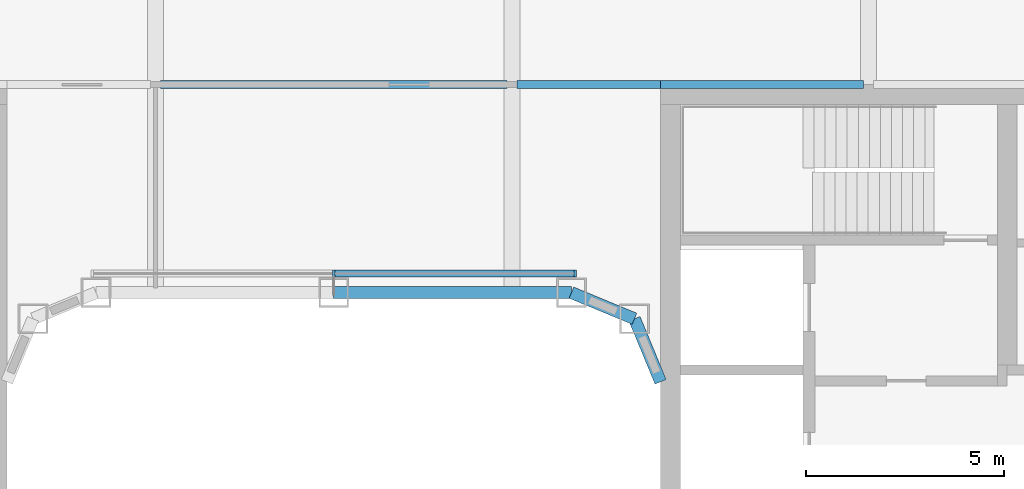
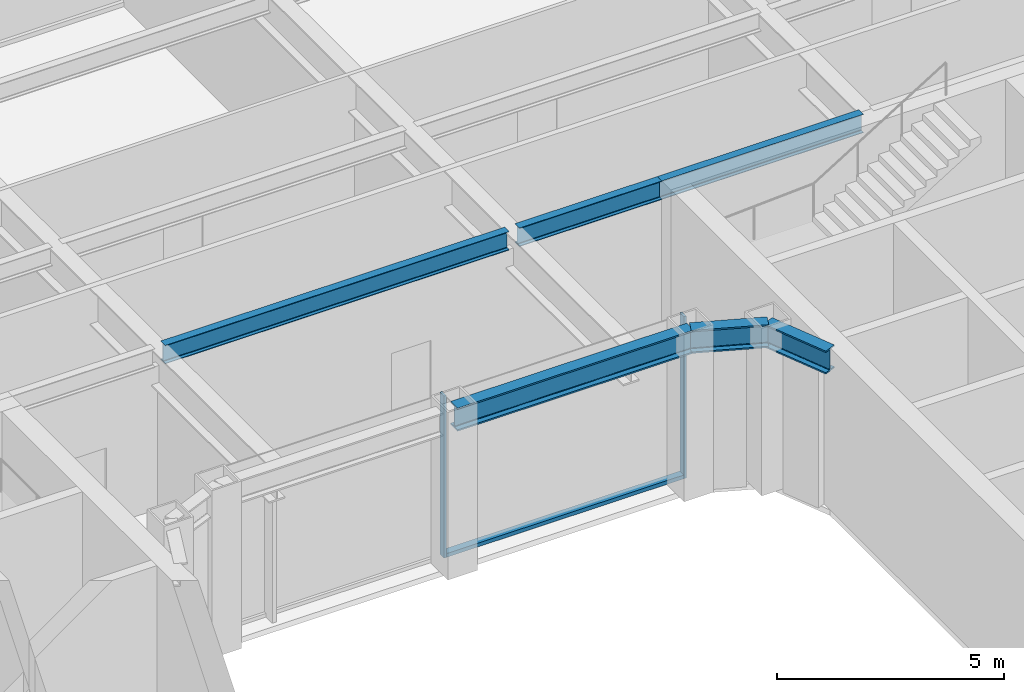
# One storey, part 8 of 27: 6 beams, 3 members, 1 element without a shape of its own.
"""IFC4 building model written with IfcOpenShell, lengths in metres."""

from ifc_helpers import new_model, si_unit, direction, frame, origin, origin_2d, place, context, subcontext, project, spatial, rectangle, i_section, extrude, material, layer, layer_set, material_profile, profile_set, type_object, element, aggregate, save


model = new_model("IFC4")

# Units and contexts
model_context = context("Model", 3, precision=1e-05, world=origin(), true_north=direction((0.0, 1.0)))
body_context = subcontext(model_context, "Body", "Model", "MODEL_VIEW")
ifc_project = project(units=[si_unit("LENGTHUNIT", "METRE"), si_unit("AREAUNIT", "SQUARE_METRE"), si_unit("VOLUMEUNIT", "CUBIC_METRE"), si_unit("PLANEANGLEUNIT", "RADIAN"), si_unit("MASSUNIT", "GRAM", prefix="KILO")], contexts=[model_context])

# Site, building, storey
site_placement = place(None, origin())
site = spatial("IfcSite", under=ifc_project, at=site_placement, CompositionType="ELEMENT")
building_placement = place(site_placement, origin())
building = spatial("IfcBuilding", under=site, at=building_placement, Name="Siwar Civic Tower", CompositionType="ELEMENT")
storey_placement = place(building_placement, frame((0.0, 0.0, 71.699951171875)))
storey = spatial("IfcBuildingStorey", under=building, at=storey_placement, Name="L15", CompositionType="ELEMENT", Elevation=71.699951171875)

# Curtain wall, members
ifc_material_1 = material(Name="Aluminium and glass", Category="aluminium")
ifc_layer = layer(ifc_material_1, 0.179931640625)
ifc_layer_set = layer_set([ifc_layer], Name="Aluminium and glass")
curtain_wall_type = type_object("IfcCurtainWallType", Name="ENV-CW-W", PredefinedType="NOTDEFINED", material=ifc_layer_set)
curtain_wall_placement = place(storey_placement, origin())
curtain_wall = element("IfcCurtainWall", 1, at=curtain_wall_placement, inside=storey, type_object=curtain_wall_type, Name="Curtain wall W WN", PredefinedType="NOTDEFINED")
ifc_material_2 = material(Name="Aluminium 6063-T6", Category="aluminium")
ifc_material_profile_1 = material_profile(ifc_material_2, rectangle(XDim=0.179931640625, YDim=0.06005859375, at=origin_2d()), Name="AL 180x60")
ifc_profile_set_1 = profile_set([ifc_material_profile_1], Name="Aluminium 6063-T6")
member_type_1 = type_object("IfcMemberType", Name="ENV-MULLION-W", PredefinedType="MULLION", material=ifc_profile_set_1)
member_1_placement = place(storey_placement, frame((6.096435546875, 8.735107421875, 0.0), z_axis=(0.0, 0.0, 1.0), x_axis=(0.0, -1.0, 0.0)))
member_1 = element("IfcMember", 2, at=member_1_placement, type_object=member_type_1, Name="Mullion W WN 1", PredefinedType="MULLION", context=body_context, shape_type="SweptSolid", body=[
    extrude(rectangle(XDim=0.179931640625, YDim=0.06005859375, at=origin_2d()), origin(), (0.0, 0.0, 1.0), 4.35009765625),
])
member_2_placement = place(storey_placement, frame((0.0, 8.735107421875, 0.0), z_axis=(0.0, 0.0, 1.0), x_axis=(0.0, -1.0, 0.0)))
member_2 = element("IfcMember", 3, at=member_2_placement, type_object=member_type_1, Name="Mullion W WN 2", PredefinedType="MULLION", context=body_context, shape_type="SweptSolid", body=[
    extrude(rectangle(XDim=0.179931640625, YDim=0.06005859375, at=origin_2d()), origin(), (0.0, 0.0, 1.0), 4.35009765625),
])
ifc_material_3 = material(Name="Aluminium 6063-T6", Category="aluminium")
ifc_material_profile_2 = material_profile(ifc_material_3, rectangle(XDim=0.179931640625, YDim=0.10009765625, at=origin_2d()), Name="AL 180x100")
ifc_profile_set_2 = profile_set([ifc_material_profile_2], Name="Aluminium 6063-T6")
member_type_2 = type_object("IfcMemberType", Name="ENV-TRANSOM-W", PredefinedType="USERDEFINED", material=ifc_profile_set_2)
member_3_placement = place(storey_placement, frame((6.06640625, 8.735107421875, 0.050048828125), z_axis=(-1.0, 0.0, 0.0), x_axis=(0.0, -1.0, 0.0)))
member_3 = element("IfcMember", 4, at=member_3_placement, type_object=member_type_2, Name="Transom W WN 1", ObjectType="TRANSOM", PredefinedType="USERDEFINED", context=body_context, shape_type="SweptSolid", body=[
    extrude(rectangle(XDim=0.179931640625, YDim=0.10009765625, at=origin_2d()), origin(), (0.0, 0.0, 1.0), 6.036376953125),
])
aggregate(curtain_wall, [member_1, member_2, member_3])

# Beams
ifc_material_4 = material(Name="Steel S355", Category="steel")
ifc_material_profile_3 = material_profile(ifc_material_4, i_section(OverallWidth=0.199951171875, OverallDepth=0.5, WebThickness=0.01025390625, FlangeThickness=0.01611328125, FilletRadius=0.02099609375, at=origin_2d()), Name="IPE500")
ifc_profile_set_3 = profile_set([ifc_material_profile_3], Name="Steel S355")
beam_type_1 = type_object("IfcBeamType", Name="STR-FB-IPE500", PredefinedType="JOIST", material=ifc_profile_set_3)
beam_1_placement = place(storey_placement, frame((-4.3701171875, 13.5, 4.10009765625), z_axis=(1.0, 0.0, 0.0), x_axis=(0.0, 1.0, 0.0)))
element("IfcBeam", 5, at=beam_1_placement, inside=storey, type_object=beam_type_1, Name="L15/bm/F041", PredefinedType="JOIST", context=body_context, shape_type="SweptSolid", body=[
    extrude(i_section(OverallWidth=0.199951171875, OverallDepth=0.5, WebThickness=0.01025390625, FlangeThickness=0.01611328125, FilletRadius=0.02099609375, at=origin_2d()), origin(), (0.0, 0.0, 1.0), 8.740234375),
])
beam_2_placement = place(storey_placement, frame((4.6298828125, 13.5, 4.10009765625), z_axis=(1.0, 0.0, 0.0), x_axis=(0.0, 1.0, 0.0)))
element("IfcBeam", 6, at=beam_2_placement, inside=storey, type_object=beam_type_1, Name="L15/bm/F042", PredefinedType="JOIST", context=body_context, shape_type="SweptSolid", body=[
    extrude(i_section(OverallWidth=0.199951171875, OverallDepth=0.5, WebThickness=0.01025390625, FlangeThickness=0.01611328125, FilletRadius=0.02099609375, at=origin_2d()), origin(), (0.0, 0.0, 1.0), 3.6201171875),
])
beam_3_placement = place(storey_placement, frame((8.25, 13.5, 4.10009765625), z_axis=(1.0, 0.0, 0.0), x_axis=(0.0, 1.0, 0.0)))
element("IfcBeam", 7, at=beam_3_placement, inside=storey, type_object=beam_type_1, Name="L15/bm/F043", PredefinedType="JOIST", context=body_context, shape_type="SweptSolid", body=[
    extrude(i_section(OverallWidth=0.199951171875, OverallDepth=0.5, WebThickness=0.01025390625, FlangeThickness=0.01611328125, FilletRadius=0.02099609375, at=origin_2d()), origin(), (0.0, 0.0, 1.0), 5.1201171875),
])
ifc_material_5 = material(Name="Steel S355", Category="steel")
ifc_material_profile_4 = material_profile(ifc_material_5, i_section(OverallWidth=0.304931640625, OverallDepth=0.6201171875, WebThickness=0.02099609375, FlangeThickness=0.0400390625, FilletRadius=0.027099609375, at=origin_2d()), Name="HEM600")
ifc_profile_set_4 = profile_set([ifc_material_profile_4], Name="Steel S355")
beam_type_2 = type_object("IfcBeamType", Name="STR-RB-HEM600", PredefinedType="BEAM", material=ifc_profile_set_4)
beam_4_placement = place(storey_placement, frame((0.0, 8.25, 4.0400390625), z_axis=(1.0, 0.0, 0.0), x_axis=(0.0, 1.0, 0.0)))
element("IfcBeam", 8, at=beam_4_placement, inside=storey, type_object=beam_type_2, Name="L15/bm/RN2", PredefinedType="BEAM", context=body_context, shape_type="SweptSolid", body=[
    extrude(i_section(OverallWidth=0.304931640625, OverallDepth=0.6201171875, WebThickness=0.02099609375, FlangeThickness=0.0400390625, FilletRadius=0.027099609375, at=origin_2d()), origin(), (0.0, 0.0, 1.0), 6.0),
])
for number, where, z_axis, x_axis, name in (
    (9, (6.0, 8.25, 4.0400390625), (0.923901072997, -0.382631424892, 0.0), (0.382631424892, 0.923901072997, 0.0), "L15/bm/RN3"),
    (10, (7.591064453125, 7.591064453125, 4.0400390625), (0.382631424892, -0.923901072997, 0.0), (0.923901072997, 0.382631424892, 0.0), "L15/bm/RNEE"),
):
    element("IfcBeam", number, at=place(storey_placement, frame(where, z_axis=z_axis, x_axis=x_axis)), inside=storey, type_object=beam_type_2, Name=name, PredefinedType="BEAM", context=body_context, shape_type="SweptSolid", body=[
        extrude(i_section(OverallWidth=0.304931640625, OverallDepth=0.6201171875, WebThickness=0.02099609375, FlangeThickness=0.0400390625, FilletRadius=0.027099609375, at=origin_2d()), origin(), (0.0, 0.0, 1.0), 1.72216796875),
    ])

save(model, "model.ifc")
